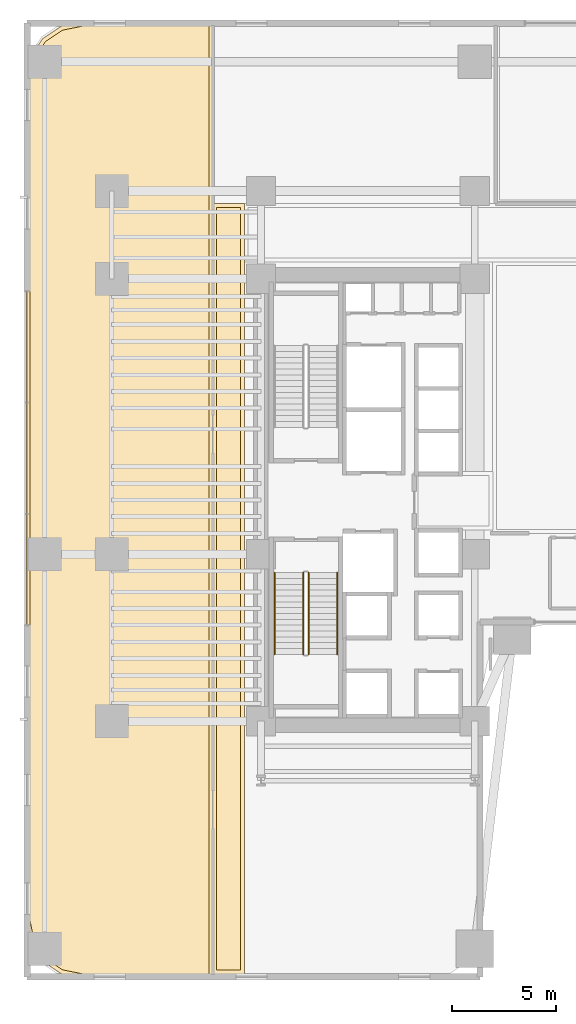
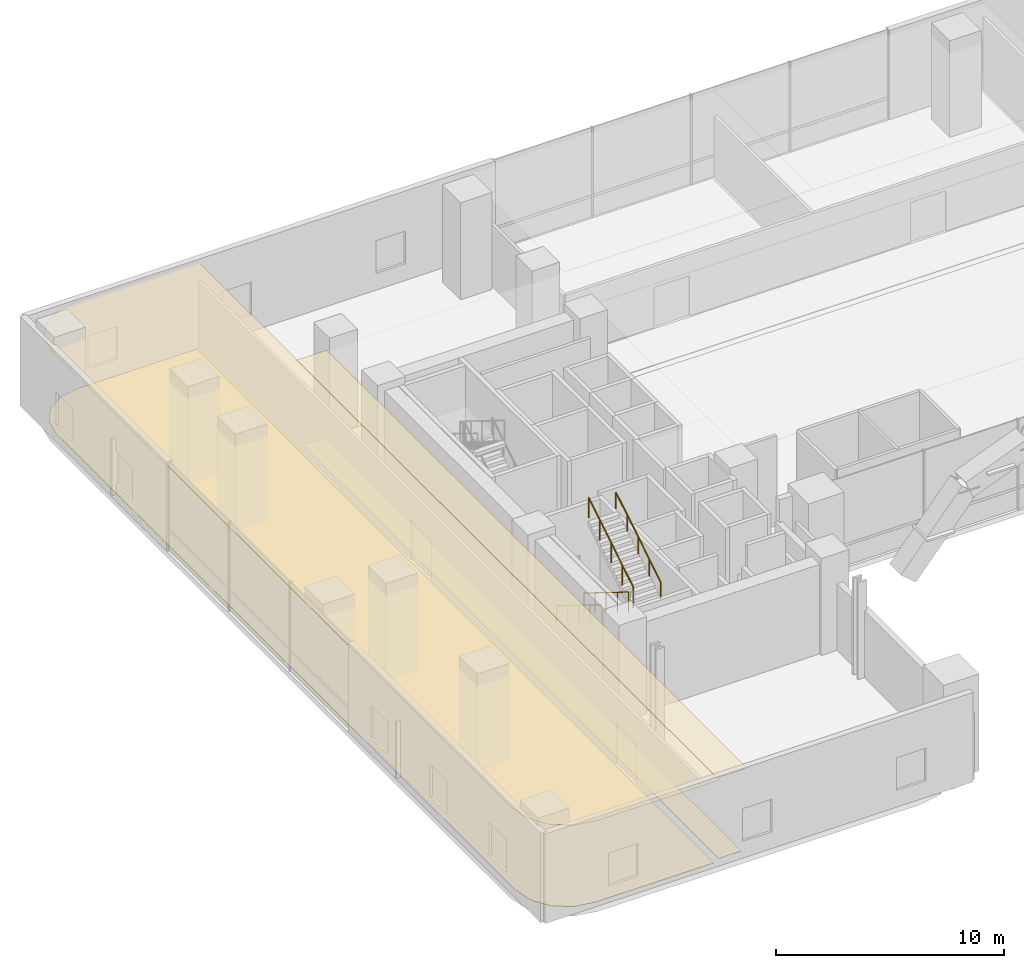
# One storey, part 32 of 39: 4 coverings, 4 railings.
"""IFC4 building model written with IfcOpenShell, lengths in metres."""

from ifc_helpers import new_model, si_unit, direction, frame, origin, origin_2d, place, context, subcontext, project, spatial, polyline, circle, outline, extrude, material, layer, layer_set, type_object, element, save


model = new_model("IFC4")

# Units and contexts
model_context = context("Model", 3, precision=1e-05, world=origin(), true_north=direction((0.0, 1.0)))
body_context = subcontext(model_context, "Body", "Model", "MODEL_VIEW")
ifc_project = project(units=[si_unit("LENGTHUNIT", "METRE"), si_unit("AREAUNIT", "SQUARE_METRE"), si_unit("VOLUMEUNIT", "CUBIC_METRE"), si_unit("PLANEANGLEUNIT", "RADIAN"), si_unit("MASSUNIT", "GRAM", prefix="KILO")], contexts=[model_context])

# Site, building, storey
site_placement = place(None, origin())
site = spatial("IfcSite", under=ifc_project, at=site_placement, CompositionType="ELEMENT")
building_placement = place(site_placement, origin())
building = spatial("IfcBuilding", under=site, at=building_placement, Name="Valdorenza Pilgrim Sanctuary Tower", CompositionType="ELEMENT")
storey_placement = place(building_placement, frame((0.0, 0.0, 15.60009765625)))
storey = spatial("IfcBuildingStorey", under=building, at=storey_placement, Name="L03", CompositionType="ELEMENT", Elevation=15.60009765625)

# Coverings
ifc_material_1 = material(Name="Micro-perforated acoustic mineral ceiling tile", Category="gypsum")
ifc_layer_1 = layer(ifc_material_1, 0.02490234375, Name="Micro-perforated acoustic mineral ceiling tile")
ifc_layer_set_1 = layer_set([ifc_layer_1], Name="Micro-perforated acoustic mineral ceiling tile")
covering_type_1 = type_object("IfcCoveringType", Name="COV-CLG-ACU", PredefinedType="CEILING", material=ifc_layer_set_1)
covering_1_placement = place(storey_placement, frame((0.0, 0.0, 4.5)))
element("IfcCovering", 1, at=covering_1_placement, inside=storey, type_object=covering_type_1, Name="L03 Pilgrimage Exhibition Gallery Acoustic Ceiling", PredefinedType="CEILING", context=body_context, shape_type="SweptSolid", body=[
    extrude(outline(polyline([(-31.189208984375, -22.905029296875), (-31.190673828125, -22.90478515625), (-31.192138671875, -22.90478515625), (-32.2314453125, -22.697998046875), (-32.23291015625, -22.697509765625), (-32.234375, -22.697021484375), (-32.235595703125, -22.696533203125), (-32.23681640625, -22.69580078125), (-33.10888671875, -22.113037109375), (-33.110107421875, -22.1123046875), (-33.111083984375, -22.111083984375), (-33.1123046875, -22.110107421875), (-33.113037109375, -22.10888671875), (-33.69580078125, -21.23681640625), (-33.696533203125, -21.235595703125), (-33.697021484375, -21.234375), (-33.697509765625, -21.23291015625), (-33.697998046875, -21.2314453125), (-33.90478515625, -20.192138671875), (-33.90478515625, -20.190673828125), (-33.905029296875, -20.189208984375), (-33.905029296875, 20.189208984375), (-33.90478515625, 20.190673828125), (-33.90478515625, 20.192138671875), (-33.697998046875, 21.2314453125), (-33.697509765625, 21.23291015625), (-33.697021484375, 21.234375), (-33.696533203125, 21.235595703125), (-33.69580078125, 21.23681640625), (-33.113037109375, 22.10888671875), (-33.1123046875, 22.110107421875), (-33.111083984375, 22.111083984375), (-33.110107421875, 22.1123046875), (-33.10888671875, 22.113037109375), (-32.23681640625, 22.69580078125), (-32.235595703125, 22.696533203125), (-32.234375, 22.697021484375), (-32.23291015625, 22.697509765625), (-32.2314453125, 22.697998046875), (-31.192138671875, 22.90478515625), (-31.190673828125, 22.90478515625), (-31.189208984375, 22.905029296875), (-24.949951171875, 22.905029296875), (-24.948486328125, 22.90478515625), (-24.947021484375, 22.90478515625), (-24.945556640625, 22.904296875), (-24.9443359375, 22.90380859375), (-24.94287109375, 22.9033203125), (-24.941650390625, 22.902587890625), (-24.9404296875, 22.901611328125), (-24.939453125, 22.900634765625), (-24.9384765625, 22.8994140625), (-24.9375, 22.898193359375), (-24.936767578125, 22.897216796875), (-24.93603515625, 22.895751953125), (-24.935546875, 22.894287109375), (-24.935302734375, 22.892822265625), (-24.93505859375, 22.8916015625), (-24.93505859375, 22.889892578125), (-24.93505859375, -22.889892578125), (-24.93505859375, -22.8916015625), (-24.935302734375, -22.892822265625), (-24.935546875, -22.894287109375), (-24.93603515625, -22.895751953125), (-24.936767578125, -22.897216796875), (-24.9375, -22.898193359375), (-24.9384765625, -22.8994140625), (-24.939453125, -22.900634765625), (-24.9404296875, -22.901611328125), (-24.941650390625, -22.902587890625), (-24.94287109375, -22.9033203125), (-24.9443359375, -22.90380859375), (-24.945556640625, -22.904296875), (-24.947021484375, -22.90478515625), (-24.948486328125, -22.90478515625), (-24.949951171875, -22.905029296875), (-31.189208984375, -22.905029296875)])), origin(), (0.0, 0.0, 1.0), 0.02490234375),
])
covering_2_placement = place(storey_placement, frame((0.0, 0.0, 4.5)))
element("IfcCovering", 2, at=covering_2_placement, inside=storey, type_object=covering_type_1, Name="L03 L03 Podium West Corridor Acoustic Ceiling", PredefinedType="CEILING", context=body_context, shape_type="SweptSolid", body=[
    extrude(outline(polyline([(-23.449951171875, 14.215087890625), (-23.448486328125, 14.21484375), (-23.447021484375, 14.214599609375), (-23.445556640625, 14.21435546875), (-23.4443359375, 14.2138671875), (-23.44287109375, 14.213134765625), (-23.441650390625, 14.21240234375), (-23.4404296875, 14.211669921875), (-23.439453125, 14.210693359375), (-23.4384765625, 14.20947265625), (-23.4375, 14.208251953125), (-23.436767578125, 14.20703125), (-23.43603515625, 14.205810546875), (-23.435546875, 14.204345703125), (-23.435302734375, 14.202880859375), (-23.43505859375, 14.201416015625), (-23.43505859375, 14.199951171875), (-23.43505859375, -22.699951171875), (-23.43505859375, -22.701416015625), (-23.435302734375, -22.702880859375), (-23.435546875, -22.704345703125), (-23.43603515625, -22.705810546875), (-23.436767578125, -22.70703125), (-23.4375, -22.708251953125), (-23.4384765625, -22.70947265625), (-23.439453125, -22.710693359375), (-23.4404296875, -22.711669921875), (-23.441650390625, -22.71240234375), (-23.44287109375, -22.713134765625), (-23.4443359375, -22.7138671875), (-23.445556640625, -22.71435546875), (-23.447021484375, -22.714599609375), (-23.448486328125, -22.71484375), (-23.449951171875, -22.715087890625), (-24.947998046875, -22.715087890625), (-24.949462890625, -22.71484375), (-24.950927734375, -22.714599609375), (-24.952392578125, -22.71435546875), (-24.95361328125, -22.7138671875), (-24.955078125, -22.713134765625), (-24.956298828125, -22.71240234375), (-24.95751953125, -22.711669921875), (-24.95849609375, -22.710693359375), (-24.959716796875, -22.70947265625), (-24.96044921875, -22.708251953125), (-24.961181640625, -22.70703125), (-24.9619140625, -22.705810546875), (-24.96240234375, -22.704345703125), (-24.962646484375, -22.702880859375), (-24.962890625, -22.701416015625), (-24.962890625, -22.699951171875), (-24.962890625, 14.199951171875), (-24.962890625, 14.201416015625), (-24.962646484375, 14.202880859375), (-24.96240234375, 14.204345703125), (-24.9619140625, 14.205810546875), (-24.961181640625, 14.20703125), (-24.96044921875, 14.208251953125), (-24.959716796875, 14.20947265625), (-24.95849609375, 14.210693359375), (-24.95751953125, 14.211669921875), (-24.956298828125, 14.21240234375), (-24.955078125, 14.213134765625), (-24.95361328125, 14.2138671875), (-24.952392578125, 14.21435546875), (-24.950927734375, 14.214599609375), (-24.949462890625, 14.21484375), (-24.947998046875, 14.215087890625), (-23.449951171875, 14.215087890625)])), origin(), (0.0, 0.0, 1.0), 0.02490234375),
])
ifc_material_2 = material(Name="Honed travertine stone flooring", Category="masonry")
ifc_layer_2 = layer(ifc_material_2, 0.030029296875, Name="Honed travertine stone flooring")
ifc_layer_set_2 = layer_set([ifc_layer_2], Name="Honed travertine stone flooring")
covering_type_2 = type_object("IfcCoveringType", Name="COV-FLR-TRV", PredefinedType="FLOORING", material=ifc_layer_set_2)
covering_3_placement = place(storey_placement, origin())
element("IfcCovering", 3, at=covering_3_placement, inside=storey, type_object=covering_type_2, Name="L03 Pilgrimage Exhibition Gallery Flooring", PredefinedType="FLOORING", context=body_context, shape_type="SweptSolid", body=[
    extrude(outline(polyline([(-31.17138671875, -22.7099609375), (-32.158203125, -22.513671875), (-32.970703125, -21.970703125), (-33.513671875, -21.158203125), (-33.7099609375, -20.17138671875), (-33.7099609375, 20.17138671875), (-33.513671875, 21.158203125), (-32.970703125, 21.970703125), (-32.158203125, 22.513671875), (-31.17138671875, 22.7099609375), (-25.1298828125, 22.7099609375), (-25.1298828125, -22.7099609375), (-31.17138671875, -22.7099609375)])), origin(), (0.0, 0.0, 1.0), 0.02490234375),
])
covering_4_placement = place(storey_placement, origin())
element("IfcCovering", 4, at=covering_4_placement, inside=storey, type_object=covering_type_2, Name="L03 L03 Podium West Corridor Flooring", PredefinedType="FLOORING", context=body_context, shape_type="SweptSolid", body=[
    extrude(outline(polyline([(-23.6298828125, 14.02001953125), (-23.6298828125, -22.52001953125), (-24.76806640625, -22.52001953125), (-24.76806640625, 14.02001953125), (-23.6298828125, 14.02001953125)])), origin(), (0.0, 0.0, 1.0), 0.02490234375),
])

# Railings
ifc_material_3 = material(Name="Stainless steel Grade 316", Category="steel")
railing_type_1 = type_object("IfcRailingType", Name="RLG-GRD-1120", PredefinedType="GUARDRAIL", material=ifc_material_3)
railing_1_placement = place(storey_placement, frame((-20.6201171875, -3.47998046875, 0.17333984375)))
element("IfcRailing", 5, at=railing_1_placement, inside=storey, type_object=railing_type_1, Name="L03 ST-A2 stair guard 1", PredefinedType="GUARDRAIL", context=body_context, shape_type="SweptSolid", body=[
    extrude(circle(Radius=0.02392578125, at=origin_2d()), frame((0.0, 0.0, 1.076171875), z_axis=(0.0, -0.850275303828, 0.526338206574), x_axis=(1.0, 0.0, 0.0)), (0.0, 0.0, 1.0), 4.610107421875),
    extrude(circle(Radius=0.02099609375, at=origin_2d()), origin(), (0.0, 0.0, 1.0), 1.052001953125),
    extrude(circle(Radius=0.02099609375, at=origin_2d()), frame((0.0, -0.97998046875, 0.606689453125)), (0.0, 0.0, 1.0), 1.052001953125),
    extrude(circle(Radius=0.02099609375, at=origin_2d()), frame((0.0, -1.9599609375, 1.21337890625)), (0.0, 0.0, 1.0), 1.052001953125),
    extrude(circle(Radius=0.02099609375, at=origin_2d()), frame((0.0, -2.93994140625, 1.81982421875)), (0.0, 0.0, 1.0), 1.052001953125),
    extrude(circle(Radius=0.02099609375, at=origin_2d()), frame((0.0, -3.919921875, 2.426513671875)), (0.0, 0.0, 1.0), 1.052001953125),
])
railing_2_placement = place(storey_placement, frame((-20.3701171875, -7.39990234375, 2.773193359375)))
element("IfcRailing", 6, at=railing_2_placement, inside=storey, type_object=railing_type_1, Name="L03 ST-A2 stair guard 3", PredefinedType="GUARDRAIL", context=body_context, shape_type="SweptSolid", body=[
    extrude(circle(Radius=0.02392578125, at=origin_2d()), frame((0.0, 0.0, 1.076171875), z_axis=(0.0, 0.850251603719, 0.526376491091), x_axis=(-1.0, 0.0, 0.0)), (0.0, 0.0, 1.0), 4.6103515625),
    extrude(circle(Radius=0.02099609375, at=origin_2d()), origin(), (0.0, 0.0, 1.0), 1.052001953125),
    extrude(circle(Radius=0.02099609375, at=origin_2d()), frame((0.0, 0.97998046875, 0.606689453125)), (0.0, 0.0, 1.0), 1.052001953125),
    extrude(circle(Radius=0.02099609375, at=origin_2d()), frame((0.0, 1.9599609375, 1.21337890625)), (0.0, 0.0, 1.0), 1.052001953125),
    extrude(circle(Radius=0.02099609375, at=origin_2d()), frame((0.0, 2.93994140625, 1.820068359375)), (0.0, 0.0, 1.0), 1.052001953125),
    extrude(circle(Radius=0.02099609375, at=origin_2d()), frame((0.0, 3.919921875, 2.4267578125)), (0.0, 0.0, 1.0), 1.052001953125),
])
ifc_material_4 = material(Name="Brushed stainless steel Grade 316", Category="steel")
railing_type_2 = type_object("IfcRailingType", Name="RLG-HND-920", PredefinedType="HANDRAIL", material=ifc_material_4)
railing_3_placement = place(storey_placement, frame((-22.0, -3.47998046875, 0.17333984375)))
element("IfcRailing", 7, at=railing_3_placement, inside=storey, type_object=railing_type_2, Name="L03 ST-A2 stair handrail 1", PredefinedType="HANDRAIL", context=body_context, shape_type="SweptSolid", body=[
    extrude(circle(Radius=0.02392578125, at=origin_2d()), frame((0.0, 0.0, 0.8759765625), z_axis=(0.0, -0.850275303828, 0.526338206574), x_axis=(1.0, 0.0, 0.0)), (0.0, 0.0, 1.0), 4.610107421875),
    extrude(circle(Radius=0.02099609375, at=origin_2d()), origin(), (0.0, 0.0, 1.0), 0.851806640625),
    extrude(circle(Radius=0.02099609375, at=origin_2d()), frame((0.0, -0.97998046875, 0.606689453125)), (0.0, 0.0, 1.0), 0.851806640625),
    extrude(circle(Radius=0.02099609375, at=origin_2d()), frame((0.0, -1.9599609375, 1.21337890625)), (0.0, 0.0, 1.0), 0.851806640625),
    extrude(circle(Radius=0.02099609375, at=origin_2d()), frame((0.0, -2.93994140625, 1.81982421875)), (0.0, 0.0, 1.0), 0.851806640625),
    extrude(circle(Radius=0.02099609375, at=origin_2d()), frame((0.0, -3.919921875, 2.426513671875)), (0.0, 0.0, 1.0), 0.851806640625),
])
railing_4_placement = place(storey_placement, frame((-18.989990234375, -7.39990234375, 2.773193359375)))
element("IfcRailing", 8, at=railing_4_placement, inside=storey, type_object=railing_type_2, Name="L03 ST-A2 stair handrail 2", PredefinedType="HANDRAIL", context=body_context, shape_type="SweptSolid", body=[
    extrude(circle(Radius=0.02392578125, at=origin_2d()), frame((0.0, 0.0, 0.8759765625), z_axis=(0.0, 0.850251603719, 0.526376491091), x_axis=(-1.0, 0.0, 0.0)), (0.0, 0.0, 1.0), 4.6103515625),
    extrude(circle(Radius=0.02099609375, at=origin_2d()), origin(), (0.0, 0.0, 1.0), 0.851806640625),
    extrude(circle(Radius=0.02099609375, at=origin_2d()), frame((0.0, 0.97998046875, 0.606689453125)), (0.0, 0.0, 1.0), 0.851806640625),
    extrude(circle(Radius=0.02099609375, at=origin_2d()), frame((0.0, 1.9599609375, 1.21337890625)), (0.0, 0.0, 1.0), 0.851806640625),
    extrude(circle(Radius=0.02099609375, at=origin_2d()), frame((0.0, 2.93994140625, 1.820068359375)), (0.0, 0.0, 1.0), 0.851806640625),
    extrude(circle(Radius=0.02099609375, at=origin_2d()), frame((0.0, 3.919921875, 2.4267578125)), (0.0, 0.0, 1.0), 0.851806640625),
])

save(model, "model.ifc")
